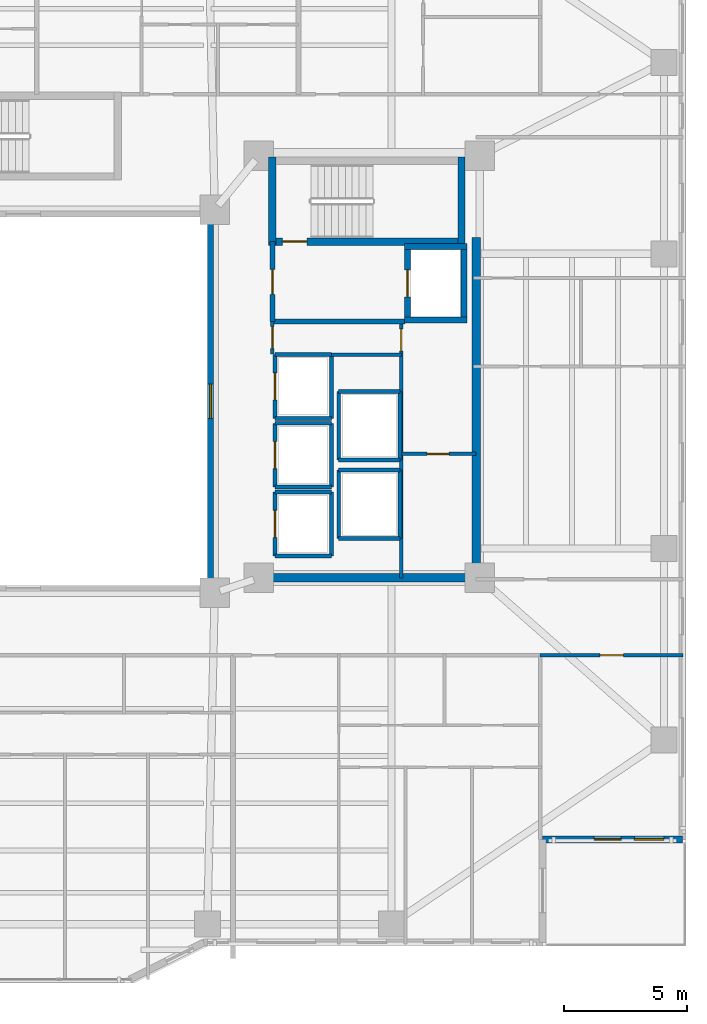
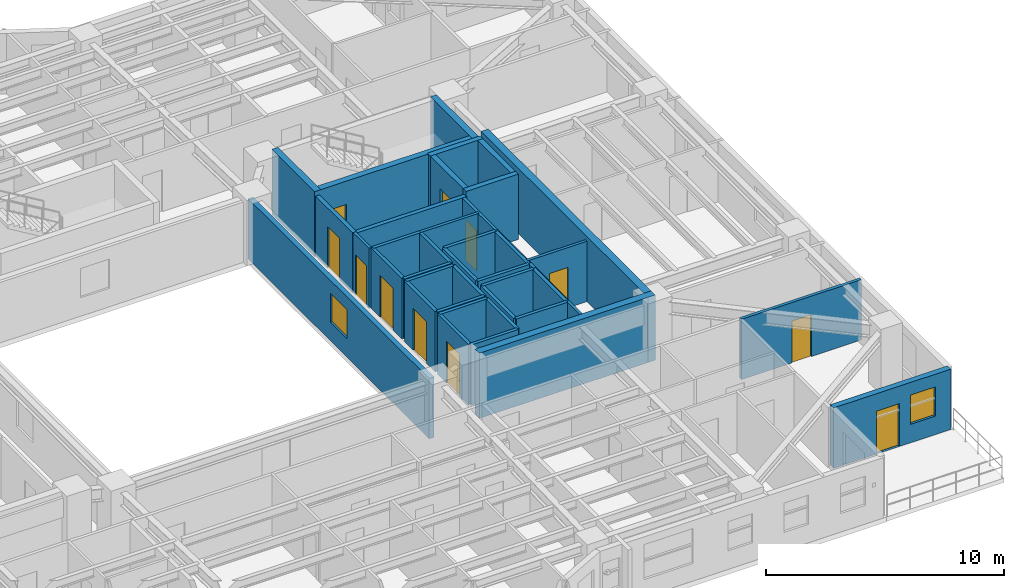
# One storey, part 9 of 19: 38 walls, 11 doors, 2 windows, 13 openings.
"""IFC4 building model written with IfcOpenShell, lengths in metres."""

from ifc_helpers import new_model, si_unit, direction, frame, frame_2d, origin, place, context, subcontext, project, spatial, rectangle, extrude, material, layer, layer_set, type_object, element, fill, save


model = new_model("IFC4")

# Units and contexts
model_context = context("Model", 3, precision=1e-05, world=origin(), true_north=direction((0.0, 1.0)))
body_context = subcontext(model_context, "Body", "Model", "MODEL_VIEW")
ifc_project = project(units=[si_unit("LENGTHUNIT", "METRE"), si_unit("AREAUNIT", "SQUARE_METRE"), si_unit("VOLUMEUNIT", "CUBIC_METRE"), si_unit("PLANEANGLEUNIT", "RADIAN"), si_unit("MASSUNIT", "GRAM", prefix="KILO")], contexts=[model_context])

# Site, building, storey
site_placement = place(None, origin())
site = spatial("IfcSite", under=ifc_project, at=site_placement, CompositionType="ELEMENT")
building_placement = place(site_placement, origin())
building = spatial("IfcBuilding", under=site, at=building_placement, Name="Tarnavaz Court Tower", CompositionType="ELEMENT")
storey_placement = place(building_placement, frame((0.0, 0.0, 78.300048828125)))
storey = spatial("IfcBuildingStorey", under=building, at=storey_placement, Name="L20", CompositionType="ELEMENT", Elevation=78.300048828125)

# Wall, opening, door
ifc_material_1 = material(Name="Concrete C60/75", Category="concrete")
ifc_layer_1 = layer(ifc_material_1, 0.25)
ifc_layer_set_1 = layer_set([ifc_layer_1], Name="Concrete C60/75")
wall_type_1 = type_object("IfcWallType", Name="WL-CORE-250-C60", PredefinedType="SHEAR", material=ifc_layer_set_1)
wall_1_placement = place(storey_placement, frame((15.64990234375, 3.175048828125, 0.0), z_axis=(0.0, 0.0, 1.0), x_axis=(0.0, 1.0, 0.0)))
wall_1 = element("IfcWall", 1, at=wall_1_placement, inside=storey, type_object=wall_type_1, Name="L20 Lift FL-E1 Shaft Wall 033", PredefinedType="SHEAR", context=body_context, shape_type="SweptSolid", body=[
    extrude(rectangle(XDim=3.25, YDim=0.25, at=frame_2d((1.625, 0.0))), origin(), (0.0, 0.0, 1.0), 3.349853515625),
])
opening_1_placement = place(wall_1_placement, frame((1.074951171875, 0.0, 0.0)))
opening_1 = element("IfcOpeningElement", 2, at=opening_1_placement, cuts=wall_1, Name="Opening LD1", PredefinedType="OPENING", context=body_context, shape_type="SweptSolid", body=[
    extrude(rectangle(XDim=1.10009765625, YDim=2.14990234375, at=frame_2d((0.550048828125, 1.074951171875))), frame((0.0, 0.135009765625, 0.0), z_axis=(0.0, -1.0, 0.0), x_axis=(1.0, 0.0, 0.0)), (0.0, 0.0, 1.0), 0.27001953125),
])
ifc_material_2 = material(Name="Stainless Steel", Category="steel")
door_type_1 = type_object("IfcDoorType", Name="DR-LD-1100", OperationType="NOTDEFINED", PredefinedType="DOOR", material=ifc_material_2)
door_1_placement = place(opening_1_placement, origin())
door_1 = element("IfcDoor", 3, at=door_1_placement, inside=storey, type_object=door_type_1, Name="L20 Lift Landing Door LD-FL-E1", OperationType="SLIDING_TO_LEFT", OverallHeight=2.14990234375, OverallWidth=1.10009765625, PredefinedType="DOOR", context=body_context, shape_type="SweptSolid", body=[
    extrude(rectangle(XDim=1.10009765625, YDim=2.14990234375, at=frame_2d((0.550048828125, 1.074951171875))), frame((0.0, 0.02490234375, 0.0), z_axis=(0.0, -1.0, 0.0), x_axis=(1.0, 0.0, 0.0)), (0.0, 0.0, 1.0), 0.050048828125),
])
fill(opening_1, door_1)

# Walls
wall_2_placement = place(storey_placement, frame((17.949951171875, 3.175048828125, 0.0), z_axis=(0.0, 0.0, 1.0), x_axis=(0.0, 1.0, 0.0)))
element("IfcWall", 4, at=wall_2_placement, inside=storey, type_object=wall_type_1, Name="L20 Lift FL-E1 Shaft Wall 034", PredefinedType="SHEAR", context=body_context, shape_type="SweptSolid", body=[
    extrude(rectangle(XDim=3.25, YDim=0.25, at=frame_2d((1.625, 0.0))), origin(), (0.0, 0.0, 1.0), 3.349853515625),
])
for number, where, z_axis, x_axis, name in (
    (5, (15.52490234375, 3.300048828125, 0.0), (0.0, 0.0, 1.0), (1.0, 0.0, 0.0), "L20 Lift FL-E1 Shaft Wall 035"),
    (6, (15.52490234375, 6.300048828125, 0.0), (0.0, 0.0, 1.0), (1.0, 0.0, 0.0), "L20 Lift FL-E1 Shaft Wall 036"),
):
    element("IfcWall", number, at=place(storey_placement, frame(where, z_axis=z_axis, x_axis=x_axis)), inside=storey, type_object=wall_type_1, Name=name, PredefinedType="SHEAR", context=body_context, shape_type="SweptSolid", body=[
        extrude(rectangle(XDim=2.550048828125, YDim=0.25, at=frame_2d((1.27490234375, 0.0))), origin(), (0.0, 0.0, 1.0), 3.349853515625),
    ])

# Wall, opening, door
ifc_layer_2 = layer(ifc_material_1, 0.300048828125)
ifc_layer_set_2 = layer_set([ifc_layer_2], Name="Concrete C60/75")
wall_type_2 = type_object("IfcWallType", Name="WL-CORE-300-C60", PredefinedType="SHEAR", material=ifc_layer_set_2)
wall_3_placement = place(storey_placement, frame((10.0, 6.5, 0.0), z_axis=(0.0, 0.0, 1.0), x_axis=(1.0, 0.0, 0.0)))
wall_3 = element("IfcWall", 7, at=wall_3_placement, inside=storey, type_object=wall_type_2, Name="L20 East Stair Core Wall 006", PredefinedType="SHEAR", context=body_context, shape_type="SweptSolid", body=[
    extrude(rectangle(XDim=8.0, YDim=0.300048828125, at=frame_2d((4.0, 0.0))), origin(), (0.0, 0.0, 1.0), 3.349853515625),
])
opening_2_placement = place(wall_3_placement, frame((0.550048828125, 0.0, 0.0)))
opening_2 = element("IfcOpeningElement", 8, at=opening_2_placement, cuts=wall_3, Name="Opening D01", PredefinedType="OPENING", context=body_context, shape_type="SweptSolid", body=[
    extrude(rectangle(XDim=1.0, YDim=2.14990234375, at=frame_2d((0.5, 1.074951171875))), frame((0.0, 0.159912109375, 0.0), z_axis=(0.0, -1.0, 0.0), x_axis=(1.0, 0.0, 0.0)), (0.0, 0.0, 1.0), 0.320068359375),
])
ifc_material_3 = material(Name="Fire-Rated Hardwood Timber Core", Category="wood")
door_type_2 = type_object("IfcDoorType", Name="DR-FD90-1000", OperationType="NOTDEFINED", PredefinedType="DOOR", material=ifc_material_3)
door_2_placement = place(opening_2_placement, origin())
door_2 = element("IfcDoor", 9, at=door_2_placement, inside=storey, type_object=door_type_2, Name="L20 Stair ST-E1 Exit Door", OperationType="SINGLE_SWING_RIGHT", OverallHeight=2.14990234375, OverallWidth=1.0, PredefinedType="DOOR", context=body_context, shape_type="SweptSolid", body=[
    extrude(rectangle(XDim=1.0, YDim=2.14990234375, at=frame_2d((0.5, 1.074951171875))), frame((0.0, 0.02490234375, 0.0), z_axis=(0.0, -1.0, 0.0), x_axis=(1.0, 0.0, 0.0)), (0.0, 0.0, 1.0), 0.050048828125),
])
fill(opening_2, door_2)

# Walls
for number, where, z_axis, x_axis, name in (
    (10, (10.14990234375, 6.35009765625, 0.0), (0.0, 0.0, 1.0), (0.0, 1.0, 0.0), "L20 East Stair Core Wall 007"),
    (11, (17.85009765625, 6.35009765625, 0.0), (0.0, 0.0, 1.0), (0.0, 1.0, 0.0), "L20 East Stair Core Wall 008"),
):
    element("IfcWall", number, at=place(storey_placement, frame(where, z_axis=z_axis, x_axis=x_axis)), inside=storey, type_object=wall_type_2, Name=name, PredefinedType="SHEAR", context=body_context, shape_type="SweptSolid", body=[
        extrude(rectangle(XDim=3.58984375, YDim=0.300048828125, at=frame_2d((1.794921875, 0.0))), origin(), (0.0, 0.0, 1.0), 3.349853515625),
    ])
ifc_layer_3 = layer(ifc_material_1, 0.35009765625)
ifc_layer_set_3 = layer_set([ifc_layer_3], Name="Concrete C60/75")
wall_type_3 = type_object("IfcWallType", Name="WL-CORE-350-C60", PredefinedType="SHEAR", material=ifc_layer_set_3)
wall_4_placement = place(storey_placement, frame((18.449951171875, -7.375, 0.0), z_axis=(0.0, 0.0, 1.0), x_axis=(0.0, 1.0, 0.0)))
element("IfcWall", 12, at=wall_4_placement, inside=storey, type_object=wall_type_3, Name="L20 East Core Shear Wall 059", PredefinedType="SHEAR", context=body_context, shape_type="SweptSolid", body=[
    extrude(rectangle(XDim=14.050048828125, YDim=0.35009765625, at=frame_2d((7.02490234375, 0.0))), origin(), (0.0, 0.0, 1.0), 3.349853515625),
])
wall_5_placement = place(storey_placement, frame((10.074951171875, -7.199951171875, 0.0), z_axis=(0.0, 0.0, 1.0), x_axis=(1.0, 0.0, 0.0)))
element("IfcWall", 13, at=wall_5_placement, inside=storey, type_object=wall_type_3, Name="L20 East Core South Shear Wall 060", PredefinedType="SHEAR", context=body_context, shape_type="SweptSolid", body=[
    extrude(rectangle(XDim=8.550048828125, YDim=0.35009765625, at=frame_2d((4.27490234375, 0.0))), origin(), (0.0, 0.0, 1.0), 3.349853515625),
])

# Wall, openings, door, window
ifc_material_4 = material(Name="Precast Concrete C40/50", Category="concrete")
ifc_layer_4 = layer(ifc_material_4, 0.280029296875)
ifc_layer_set_4 = layer_set([ifc_layer_4], Name="Precast Concrete C40/50")
wall_type_4 = type_object("IfcWallType", Name="WL-EXT-280", PredefinedType="SOLIDWALL", material=ifc_layer_set_4)
wall_6_placement = place(storey_placement, frame((26.85009765625, -17.85009765625, 0.0), z_axis=(0.0, 0.0, 1.0), x_axis=(-1.0, 0.0, 0.0)))
wall_6 = element("IfcWall", 14, at=wall_6_placement, inside=storey, type_object=wall_type_4, Name="L20 Exterior Terracotta Facade Wall 13", PredefinedType="SOLIDWALL", context=body_context, shape_type="SweptSolid", body=[
    extrude(rectangle(XDim=5.7001953125, YDim=0.280029296875, at=frame_2d((2.85009765625, 0.0))), origin(), (0.0, 0.0, 1.0), 3.099853515625),
])
opening_3_placement = place(wall_6_placement, frame((2.5, 0.0, 0.0)))
opening_3 = element("IfcOpeningElement", 15, at=opening_3_placement, cuts=wall_6, Name="Opening TD1", PredefinedType="OPENING", context=body_context, shape_type="SweptSolid", body=[
    extrude(rectangle(XDim=1.10009765625, YDim=2.199951171875, at=frame_2d((0.550048828125, 1.10009765625))), frame((0.0, 0.14990234375, 0.0), z_axis=(0.0, -1.0, 0.0), x_axis=(1.0, 0.0, 0.0)), (0.0, 0.0, 1.0), 0.300048828125),
])
opening_4_placement = place(wall_6_placement, frame((0.7548828125, 0.0, 0.949951171875)))
opening_4 = element("IfcOpeningElement", 16, at=opening_4_placement, cuts=wall_6, Name="Opening W05", PredefinedType="OPENING", context=body_context, shape_type="SweptSolid", body=[
    extrude(rectangle(XDim=1.199951171875, YDim=1.5, at=frame_2d((0.60009765625, 0.75))), frame((0.0, 0.14990234375, 0.0), z_axis=(0.0, -1.0, 0.0), x_axis=(1.0, 0.0, 0.0)), (0.0, 0.0, 1.0), 0.300048828125),
])
ifc_material_5 = material(Name="Thermally Broken Aluminium and Laminated Glass", Category="aluminium")
door_type_3 = type_object("IfcDoorType", Name="DR-TERR-1100", OperationType="NOTDEFINED", PredefinedType="DOOR", material=ifc_material_5)
door_3_placement = place(opening_3_placement, origin())
door_3 = element("IfcDoor", 17, at=door_3_placement, inside=storey, type_object=door_type_3, Name="L20 Sky Terrace Access Door 3", OperationType="SINGLE_SWING_LEFT", OverallHeight=2.199951171875, OverallWidth=1.10009765625, PredefinedType="DOOR", context=body_context, shape_type="SweptSolid", body=[
    extrude(rectangle(XDim=1.10009765625, YDim=2.199951171875, at=frame_2d((0.550048828125, 1.10009765625))), frame((0.0, 0.02490234375, 0.0), z_axis=(0.0, -1.0, 0.0), x_axis=(1.0, 0.0, 0.0)), (0.0, 0.0, 1.0), 0.050048828125),
])
fill(opening_3, door_3)
ifc_material_6 = material(Name="Double-Glazed Solar Low-E Glass", Category="glass")
window_type_1 = type_object("IfcWindowType", Name="WN-APT-1200", PartitioningType="SINGLE_PANEL", PredefinedType="WINDOW", material=ifc_material_6)
window_1_placement = place(opening_4_placement, origin())
window_1 = element("IfcWindow", 18, at=window_1_placement, inside=storey, type_object=window_type_1, Name="L20 South-East Corner Reading Room Window", OverallHeight=1.5, OverallWidth=1.199951171875, PartitioningType="SINGLE_PANEL", PredefinedType="WINDOW", context=body_context, shape_type="SweptSolid", body=[
    extrude(rectangle(XDim=1.199951171875, YDim=1.5, at=frame_2d((0.60009765625, 0.75))), frame((0.0, 0.030029296875, 0.0), z_axis=(0.0, -1.0, 0.0), x_axis=(1.0, 0.0, 0.0)), (0.0, 0.0, 1.0), 0.06005859375),
])
fill(opening_4, window_1)

# Wall, opening, door
ifc_material_7 = material(Name="Gypsum Fire-Board on Acoustic Metal Stud", Category="masonry")
ifc_layer_5 = layer(ifc_material_7, 0.14990234375)
ifc_layer_set_5 = layer_set([ifc_layer_5], Name="Gypsum Fire-Board on Acoustic Metal Stud")
wall_type_5 = type_object("IfcWallType", Name="WL-FIRE-150", PredefinedType="PARTITIONING", material=ifc_layer_set_5)
wall_7_placement = place(storey_placement, frame((21.050048828125, -10.35009765625, 0.0), z_axis=(0.0, 0.0, 1.0), x_axis=(1.0, 0.0, 0.0)))
wall_7 = element("IfcWall", 19, at=wall_7_placement, inside=storey, type_object=wall_type_5, Name="L20 Interior Partition 133", PredefinedType="PARTITIONING", context=body_context, shape_type="SweptSolid", body=[
    extrude(rectangle(XDim=5.829833984375, YDim=0.14990234375, at=frame_2d((2.9150390625, 0.0))), origin(), (0.0, 0.0, 1.0), 3.099853515625),
])
opening_5_placement = place(wall_7_placement, frame((2.43994140625, 0.0, 0.0)))
opening_5 = element("IfcOpeningElement", 20, at=opening_5_placement, cuts=wall_7, Name="Opening D13", PredefinedType="OPENING", context=body_context, shape_type="SweptSolid", body=[
    extrude(rectangle(XDim=0.949951171875, YDim=2.14990234375, at=frame_2d((0.47509765625, 1.074951171875))), frame((0.0, 0.0849609375, 0.0), z_axis=(0.0, -1.0, 0.0), x_axis=(1.0, 0.0, 0.0)), (0.0, 0.0, 1.0), 0.169921875),
])
ifc_material_8 = material(Name="Engineered Oak Timber", Category="wood")
door_type_4 = type_object("IfcDoorType", Name="DR-INT-950", OperationType="NOTDEFINED", PredefinedType="DOOR", material=ifc_material_8)
door_4_placement = place(opening_5_placement, origin())
door_4 = element("IfcDoor", 21, at=door_4_placement, inside=storey, type_object=door_type_4, Name="L20 SE Reading Room Door", OperationType="SINGLE_SWING_RIGHT", OverallHeight=2.14990234375, OverallWidth=0.949951171875, PredefinedType="DOOR", context=body_context, shape_type="SweptSolid", body=[
    extrude(rectangle(XDim=0.949951171875, YDim=2.14990234375, at=frame_2d((0.47509765625, 1.074951171875))), frame((0.0, 0.02490234375, 0.0), z_axis=(0.0, -1.0, 0.0), x_axis=(1.0, 0.0, 0.0)), (0.0, 0.0, 1.0), 0.050048828125),
])
fill(opening_5, door_4)

# Wall
ifc_material_9 = material(Name="Autoclaved Aerated Concrete Blockwork", Category="masonry")
ifc_layer_6 = layer(ifc_material_9, 0.199951171875)
ifc_layer_set_6 = layer_set([ifc_layer_6], Name="Autoclaved Aerated Concrete Blockwork")
wall_type_6 = type_object("IfcWallType", Name="WL-FIRE-200", PredefinedType="SOLIDWALL", material=ifc_layer_set_6)
wall_8_placement = place(storey_placement, frame((10.14990234375, 3.25, 0.0), z_axis=(0.0, 0.0, 1.0), x_axis=(1.0, 0.0, 0.0)))
element("IfcWall", 22, at=wall_8_placement, inside=storey, type_object=wall_type_6, Name="L20 East Firefighting Lobby Wall 015", PredefinedType="SOLIDWALL", context=body_context, shape_type="SweptSolid", body=[
    extrude(rectangle(XDim=5.400146484375, YDim=0.199951171875, at=frame_2d((2.7001953125, 0.0))), origin(), (0.0, 0.0, 1.0), 3.099853515625),
])

# Wall, opening, door
wall_9_placement = place(storey_placement, frame((10.14990234375, 3.25, 0.0), z_axis=(0.0, 0.0, 1.0), x_axis=(0.0, 1.0, 0.0)))
wall_9 = element("IfcWall", 23, at=wall_9_placement, inside=storey, type_object=wall_type_6, Name="L20 East Firefighting Lobby Wall 016", PredefinedType="SOLIDWALL", context=body_context, shape_type="SweptSolid", body=[
    extrude(rectangle(XDim=3.25, YDim=0.199951171875, at=frame_2d((1.625, 0.0))), origin(), (0.0, 0.0, 1.0), 3.099853515625),
])
opening_6_placement = place(wall_9_placement, frame((1.10009765625, 0.0, 0.0)))
opening_6 = element("IfcOpeningElement", 24, at=opening_6_placement, cuts=wall_9, Name="Opening D05", PredefinedType="OPENING", context=body_context, shape_type="SweptSolid", body=[
    extrude(rectangle(XDim=1.02001953125, YDim=2.14990234375, at=frame_2d((0.510009765625, 1.074951171875))), frame((0.0, 0.10986328125, 0.0), z_axis=(0.0, -1.0, 0.0), x_axis=(1.0, 0.0, 0.0)), (0.0, 0.0, 1.0), 0.219970703125),
])
door_type_5 = type_object("IfcDoorType", Name="DR-FD60-1000", OperationType="NOTDEFINED", PredefinedType="DOOR", material=ifc_material_3)
door_5_placement = place(opening_6_placement, origin())
door_5 = element("IfcDoor", 25, at=door_5_placement, inside=storey, type_object=door_type_5, Name="L20 East Firefighting Lobby Door", OperationType="SINGLE_SWING_LEFT", OverallHeight=2.14990234375, OverallWidth=1.02001953125, PredefinedType="DOOR", context=body_context, shape_type="SweptSolid", body=[
    extrude(rectangle(XDim=1.02001953125, YDim=2.14990234375, at=frame_2d((0.510009765625, 1.074951171875))), frame((0.0, 0.02490234375, 0.0), z_axis=(0.0, -1.0, 0.0), x_axis=(1.0, 0.0, 0.0)), (0.0, 0.0, 1.0), 0.050048828125),
])
fill(opening_6, door_5)

# Wall
ifc_material_10 = material(Name="Gypsum Plasterboard Acoustic Partition", Category="masonry")
ifc_layer_7 = layer(ifc_material_10, 0.139892578125)
ifc_layer_set_7 = layer_set([ifc_layer_7], Name="Gypsum Plasterboard Acoustic Partition")
wall_type_7 = type_object("IfcWallType", Name="WL-PART-150", PredefinedType="PARTITIONING", material=ifc_layer_set_7)
wall_10_placement = place(storey_placement, frame((12.550048828125, 1.89990234375, 0.0), z_axis=(0.0, 0.0, 1.0), x_axis=(1.0, 0.0, 0.0)))
element("IfcWall", 26, at=wall_10_placement, inside=storey, type_object=wall_type_7, Name="L20 Interior Partition 067", PredefinedType="PARTITIONING", context=body_context, shape_type="SweptSolid", body=[
    extrude(rectangle(XDim=2.849853515625, YDim=0.139892578125, at=frame_2d((1.4248046875, 0.0))), origin(), (0.0, 0.0, 1.0), 3.099853515625),
])

# Wall, opening, door
wall_11_placement = place(storey_placement, frame((10.14990234375, 1.919921875, 0.0), z_axis=(0.0, 0.0, 1.0), x_axis=(0.0, 1.0, 0.0)))
wall_11 = element("IfcWall", 27, at=wall_11_placement, inside=storey, type_object=wall_type_7, Name="L20 Interior Partition 068", PredefinedType="PARTITIONING", context=body_context, shape_type="SweptSolid", body=[
    extrude(rectangle(XDim=1.330078125, YDim=0.139892578125, at=frame_2d((0.6650390625, 0.0))), origin(), (0.0, 0.0, 1.0), 3.099853515625),
])
opening_7_placement = place(wall_11_placement, frame((0.219970703125, 0.0, 0.0)))
opening_7 = element("IfcOpeningElement", 28, at=opening_7_placement, cuts=wall_11, Name="Opening D09", PredefinedType="OPENING", context=body_context, shape_type="SweptSolid", body=[
    extrude(rectangle(XDim=0.89990234375, YDim=2.080078125, at=frame_2d((0.449951171875, 1.0400390625))), frame((0.0, 0.079833984375, 0.0), z_axis=(0.0, -1.0, 0.0), x_axis=(1.0, 0.0, 0.0)), (0.0, 0.0, 1.0), 0.159912109375),
])
door_type_6 = type_object("IfcDoorType", Name="DR-FD30-900", OperationType="NOTDEFINED", PredefinedType="DOOR", material=ifc_material_3)
door_6_placement = place(opening_7_placement, origin())
door_6 = element("IfcDoor", 29, at=door_6_placement, inside=storey, type_object=door_type_6, Name="L20 East Core Service Lobby Door", OperationType="SINGLE_SWING_RIGHT", OverallHeight=2.080078125, OverallWidth=0.89990234375, PredefinedType="DOOR", context=body_context, shape_type="SweptSolid", body=[
    extrude(rectangle(XDim=0.89990234375, YDim=2.080078125, at=frame_2d((0.449951171875, 1.0400390625))), frame((0.0, 0.02490234375, 0.0), z_axis=(0.0, -1.0, 0.0), x_axis=(1.0, 0.0, 0.0)), (0.0, 0.0, 1.0), 0.050048828125),
])
fill(opening_7, door_6)

wall_12_placement = place(storey_placement, frame((15.39990234375, -7.199951171875, 0.0), z_axis=(0.0, 0.0, 1.0), x_axis=(0.0, 1.0, 0.0)))
wall_12 = element("IfcWall", 30, at=wall_12_placement, inside=storey, type_object=wall_type_7, Name="L20 Interior Partition 069", PredefinedType="PARTITIONING", context=body_context, shape_type="SweptSolid", body=[
    extrude(rectangle(XDim=10.449951171875, YDim=0.139892578125, at=frame_2d((5.22509765625, 0.0))), origin(), (0.0, 0.0, 1.0), 3.099853515625),
])
opening_8_placement = place(wall_12_placement, frame((9.25, 0.0, 0.0)))
opening_8 = element("IfcOpeningElement", 31, at=opening_8_placement, cuts=wall_12, Name="Opening D09", PredefinedType="OPENING", context=body_context, shape_type="SweptSolid", body=[
    extrude(rectangle(XDim=0.89990234375, YDim=2.080078125, at=frame_2d((0.449951171875, 1.0400390625))), frame((0.0, 0.079833984375, 0.0), z_axis=(0.0, -1.0, 0.0), x_axis=(1.0, 0.0, 0.0)), (0.0, 0.0, 1.0), 0.159912109375),
])
door_7_placement = place(opening_8_placement, origin())
door_7 = element("IfcDoor", 32, at=door_7_placement, inside=storey, type_object=door_type_6, Name="L20 East Wet Riser Door", OperationType="SINGLE_SWING_LEFT", OverallHeight=2.080078125, OverallWidth=0.89990234375, PredefinedType="DOOR", context=body_context, shape_type="SweptSolid", body=[
    extrude(rectangle(XDim=0.89990234375, YDim=2.080078125, at=frame_2d((0.449951171875, 1.0400390625))), frame((0.0, 0.02490234375, 0.0), z_axis=(0.0, -1.0, 0.0), x_axis=(1.0, 0.0, 0.0)), (0.0, 0.0, 1.0), 0.050048828125),
])
fill(opening_8, door_7)

wall_13_placement = place(storey_placement, frame((15.39990234375, -2.14990234375, 0.0), z_axis=(0.0, 0.0, 1.0), x_axis=(1.0, 0.0, 0.0)))
wall_13 = element("IfcWall", 33, at=wall_13_placement, inside=storey, type_object=wall_type_7, Name="L20 Interior Partition 070", PredefinedType="PARTITIONING", context=body_context, shape_type="SweptSolid", body=[
    extrude(rectangle(XDim=3.050048828125, YDim=0.139892578125, at=frame_2d((1.52490234375, 0.0))), origin(), (0.0, 0.0, 1.0), 3.099853515625),
])
opening_9_placement = place(wall_13_placement, frame((1.050048828125, 0.0, 0.0)))
opening_9 = element("IfcOpeningElement", 34, at=opening_9_placement, cuts=wall_13, Name="Opening D09", PredefinedType="OPENING", context=body_context, shape_type="SweptSolid", body=[
    extrude(rectangle(XDim=0.89990234375, YDim=2.080078125, at=frame_2d((0.449951171875, 1.0400390625))), frame((0.0, 0.079833984375, 0.0), z_axis=(0.0, -1.0, 0.0), x_axis=(1.0, 0.0, 0.0)), (0.0, 0.0, 1.0), 0.159912109375),
])
door_8_placement = place(opening_9_placement, origin())
door_8 = element("IfcDoor", 35, at=door_8_placement, inside=storey, type_object=door_type_6, Name="L20 East Electrical Plant Door", OperationType="SINGLE_SWING_RIGHT", OverallHeight=2.080078125, OverallWidth=0.89990234375, PredefinedType="DOOR", context=body_context, shape_type="SweptSolid", body=[
    extrude(rectangle(XDim=0.89990234375, YDim=2.080078125, at=frame_2d((0.449951171875, 1.0400390625))), frame((0.0, 0.02490234375, 0.0), z_axis=(0.0, -1.0, 0.0), x_axis=(1.0, 0.0, 0.0)), (0.0, 0.0, 1.0), 0.050048828125),
])
fill(opening_9, door_8)

ifc_layer_8 = layer(ifc_material_9, 0.159912109375)
ifc_layer_set_8 = layer_set([ifc_layer_8], Name="Autoclaved Aerated Concrete Blockwork")
wall_type_8 = type_object("IfcWallType", Name="WL-SHAFT-150", PredefinedType="SOLIDWALL", material=ifc_layer_set_8)
wall_14_placement = place(storey_placement, frame((10.25, -6.300048828125, 0.0), z_axis=(0.0, 0.0, 1.0), x_axis=(0.0, 1.0, 0.0)))
wall_14 = element("IfcWall", 36, at=wall_14_placement, inside=storey, type_object=wall_type_8, Name="L20 Lift PL-M1 Shaft Wall 037", PredefinedType="SOLIDWALL", context=body_context, shape_type="SweptSolid", body=[
    extrude(rectangle(XDim=2.60009765625, YDim=0.159912109375, at=frame_2d((1.300048828125, 0.0))), origin(), (0.0, 0.0, 1.0), 3.099853515625),
])
opening_10_placement = place(wall_14_placement, frame((0.75, 0.0, 0.0)))
opening_10 = element("IfcOpeningElement", 37, at=opening_10_placement, cuts=wall_14, Name="Opening LD1", PredefinedType="OPENING", context=body_context, shape_type="SweptSolid", body=[
    extrude(rectangle(XDim=1.10009765625, YDim=2.14990234375, at=frame_2d((0.550048828125, 1.074951171875))), frame((0.0, 0.08984375, 0.0), z_axis=(0.0, -1.0, 0.0), x_axis=(1.0, 0.0, 0.0)), (0.0, 0.0, 1.0), 0.179931640625),
])
door_9_placement = place(opening_10_placement, origin())
door_9 = element("IfcDoor", 38, at=door_9_placement, inside=storey, type_object=door_type_1, Name="L20 Lift Landing Door LD-PL-M1", OperationType="SLIDING_TO_LEFT", OverallHeight=2.14990234375, OverallWidth=1.10009765625, PredefinedType="DOOR", context=body_context, shape_type="SweptSolid", body=[
    extrude(rectangle(XDim=1.10009765625, YDim=2.14990234375, at=frame_2d((0.550048828125, 1.074951171875))), frame((0.0, 0.02490234375, 0.0), z_axis=(0.0, -1.0, 0.0), x_axis=(1.0, 0.0, 0.0)), (0.0, 0.0, 1.0), 0.050048828125),
])
fill(opening_10, door_9)

# Walls
wall_15_placement = place(storey_placement, frame((12.550048828125, -6.300048828125, 0.0), z_axis=(0.0, 0.0, 1.0), x_axis=(0.0, 1.0, 0.0)))
element("IfcWall", 39, at=wall_15_placement, inside=storey, type_object=wall_type_8, Name="L20 Lift PL-M1 Shaft Wall 038", PredefinedType="SOLIDWALL", context=body_context, shape_type="SweptSolid", body=[
    extrude(rectangle(XDim=2.60009765625, YDim=0.159912109375, at=frame_2d((1.300048828125, 0.0))), origin(), (0.0, 0.0, 1.0), 3.099853515625),
])
for number, where, z_axis, x_axis, name in (
    (40, (10.25, -6.300048828125, 0.0), (0.0, 0.0, 1.0), (1.0, 0.0, 0.0), "L20 Lift PL-M1 Shaft Wall 039"),
    (41, (10.25, -3.699951171875, 0.0), (0.0, 0.0, 1.0), (1.0, 0.0, 0.0), "L20 Lift PL-M1 Shaft Wall 040"),
):
    element("IfcWall", number, at=place(storey_placement, frame(where, z_axis=z_axis, x_axis=x_axis)), inside=storey, type_object=wall_type_8, Name=name, PredefinedType="SOLIDWALL", context=body_context, shape_type="SweptSolid", body=[
        extrude(rectangle(XDim=2.300048828125, YDim=0.159912109375, at=frame_2d((1.14990234375, 0.0))), origin(), (0.0, 0.0, 1.0), 3.099853515625),
    ])

# Wall, opening, door
wall_16_placement = place(storey_placement, frame((10.25, -3.5, 0.0), z_axis=(0.0, 0.0, 1.0), x_axis=(0.0, 1.0, 0.0)))
wall_16 = element("IfcWall", 42, at=wall_16_placement, inside=storey, type_object=wall_type_8, Name="L20 Lift PL-M2 Shaft Wall 041", PredefinedType="SOLIDWALL", context=body_context, shape_type="SweptSolid", body=[
    extrude(rectangle(XDim=2.60009765625, YDim=0.159912109375, at=frame_2d((1.300048828125, 0.0))), origin(), (0.0, 0.0, 1.0), 3.099853515625),
])
opening_11_placement = place(wall_16_placement, frame((0.75, 0.0, 0.0)))
opening_11 = element("IfcOpeningElement", 43, at=opening_11_placement, cuts=wall_16, Name="Opening LD1", PredefinedType="OPENING", context=body_context, shape_type="SweptSolid", body=[
    extrude(rectangle(XDim=1.10009765625, YDim=2.14990234375, at=frame_2d((0.550048828125, 1.074951171875))), frame((0.0, 0.08984375, 0.0), z_axis=(0.0, -1.0, 0.0), x_axis=(1.0, 0.0, 0.0)), (0.0, 0.0, 1.0), 0.179931640625),
])
door_10_placement = place(opening_11_placement, origin())
door_10 = element("IfcDoor", 44, at=door_10_placement, inside=storey, type_object=door_type_1, Name="L20 Lift Landing Door LD-PL-M2", OperationType="SLIDING_TO_LEFT", OverallHeight=2.14990234375, OverallWidth=1.10009765625, PredefinedType="DOOR", context=body_context, shape_type="SweptSolid", body=[
    extrude(rectangle(XDim=1.10009765625, YDim=2.14990234375, at=frame_2d((0.550048828125, 1.074951171875))), frame((0.0, 0.02490234375, 0.0), z_axis=(0.0, -1.0, 0.0), x_axis=(1.0, 0.0, 0.0)), (0.0, 0.0, 1.0), 0.050048828125),
])
fill(opening_11, door_10)

# Walls
wall_17_placement = place(storey_placement, frame((12.550048828125, -3.5, 0.0), z_axis=(0.0, 0.0, 1.0), x_axis=(0.0, 1.0, 0.0)))
element("IfcWall", 45, at=wall_17_placement, inside=storey, type_object=wall_type_8, Name="L20 Lift PL-M2 Shaft Wall 042", PredefinedType="SOLIDWALL", context=body_context, shape_type="SweptSolid", body=[
    extrude(rectangle(XDim=2.60009765625, YDim=0.159912109375, at=frame_2d((1.300048828125, 0.0))), origin(), (0.0, 0.0, 1.0), 3.099853515625),
])
for number, where, z_axis, x_axis, name in (
    (46, (10.25, -3.5, 0.0), (0.0, 0.0, 1.0), (1.0, 0.0, 0.0), "L20 Lift PL-M2 Shaft Wall 043"),
    (47, (10.25, -0.89990234375, 0.0), (0.0, 0.0, 1.0), (1.0, 0.0, 0.0), "L20 Lift PL-M2 Shaft Wall 044"),
):
    element("IfcWall", number, at=place(storey_placement, frame(where, z_axis=z_axis, x_axis=x_axis)), inside=storey, type_object=wall_type_8, Name=name, PredefinedType="SOLIDWALL", context=body_context, shape_type="SweptSolid", body=[
        extrude(rectangle(XDim=2.300048828125, YDim=0.159912109375, at=frame_2d((1.14990234375, 0.0))), origin(), (0.0, 0.0, 1.0), 3.099853515625),
    ])

# Wall, opening, door
wall_18_placement = place(storey_placement, frame((10.25, -0.699951171875, 0.0), z_axis=(0.0, 0.0, 1.0), x_axis=(0.0, 1.0, 0.0)))
wall_18 = element("IfcWall", 48, at=wall_18_placement, inside=storey, type_object=wall_type_8, Name="L20 Lift PL-M3 Shaft Wall 045", PredefinedType="SOLIDWALL", context=body_context, shape_type="SweptSolid", body=[
    extrude(rectangle(XDim=2.599853515625, YDim=0.159912109375, at=frame_2d((1.2998046875, 0.0))), origin(), (0.0, 0.0, 1.0), 3.099853515625),
])
opening_12_placement = place(wall_18_placement, frame((0.75, 0.0, 0.0)))
opening_12 = element("IfcOpeningElement", 49, at=opening_12_placement, cuts=wall_18, Name="Opening LD1", PredefinedType="OPENING", context=body_context, shape_type="SweptSolid", body=[
    extrude(rectangle(XDim=1.10009765625, YDim=2.14990234375, at=frame_2d((0.550048828125, 1.074951171875))), frame((0.0, 0.08984375, 0.0), z_axis=(0.0, -1.0, 0.0), x_axis=(1.0, 0.0, 0.0)), (0.0, 0.0, 1.0), 0.179931640625),
])
door_11_placement = place(opening_12_placement, origin())
door_11 = element("IfcDoor", 50, at=door_11_placement, inside=storey, type_object=door_type_1, Name="L20 Lift Landing Door LD-PL-M3", OperationType="SLIDING_TO_LEFT", OverallHeight=2.14990234375, OverallWidth=1.10009765625, PredefinedType="DOOR", context=body_context, shape_type="SweptSolid", body=[
    extrude(rectangle(XDim=1.10009765625, YDim=2.14990234375, at=frame_2d((0.550048828125, 1.074951171875))), frame((0.0, 0.02490234375, 0.0), z_axis=(0.0, -1.0, 0.0), x_axis=(1.0, 0.0, 0.0)), (0.0, 0.0, 1.0), 0.050048828125),
])
fill(opening_12, door_11)

# Walls
wall_19_placement = place(storey_placement, frame((12.550048828125, -0.699951171875, 0.0), z_axis=(0.0, 0.0, 1.0), x_axis=(0.0, 1.0, 0.0)))
element("IfcWall", 51, at=wall_19_placement, inside=storey, type_object=wall_type_8, Name="L20 Lift PL-M3 Shaft Wall 046", PredefinedType="SOLIDWALL", context=body_context, shape_type="SweptSolid", body=[
    extrude(rectangle(XDim=2.599853515625, YDim=0.159912109375, at=frame_2d((1.2998046875, 0.0))), origin(), (0.0, 0.0, 1.0), 3.099853515625),
])
for number, where, z_axis, x_axis, name in (
    (52, (10.25, -0.699951171875, 0.0), (0.0, 0.0, 1.0), (1.0, 0.0, 0.0), "L20 Lift PL-M3 Shaft Wall 047"),
    (53, (10.25, 1.89990234375, 0.0), (0.0, 0.0, 1.0), (1.0, 0.0, 0.0), "L20 Lift PL-M3 Shaft Wall 048"),
):
    element("IfcWall", number, at=place(storey_placement, frame(where, z_axis=z_axis, x_axis=x_axis)), inside=storey, type_object=wall_type_8, Name=name, PredefinedType="SOLIDWALL", context=body_context, shape_type="SweptSolid", body=[
        extrude(rectangle(XDim=2.300048828125, YDim=0.159912109375, at=frame_2d((1.14990234375, 0.0))), origin(), (0.0, 0.0, 1.0), 3.099853515625),
    ])
for number, where, z_axis, x_axis, name in (
    (54, (12.85009765625, -5.60009765625, 0.0), (0.0, 0.0, 1.0), (0.0, 1.0, 0.0), "L20 Lift PL-OB1 Shaft Wall 049"),
    (55, (15.35009765625, -5.60009765625, 0.0), (0.0, 0.0, 1.0), (0.0, 1.0, 0.0), "L20 Lift PL-OB1 Shaft Wall 050"),
):
    element("IfcWall", number, at=place(storey_placement, frame(where, z_axis=z_axis, x_axis=x_axis)), inside=storey, type_object=wall_type_8, Name=name, PredefinedType="SOLIDWALL", context=body_context, shape_type="SweptSolid", body=[
        extrude(rectangle(XDim=2.800048828125, YDim=0.159912109375, at=frame_2d((1.39990234375, 0.0))), origin(), (0.0, 0.0, 1.0), 3.099853515625),
    ])
for number, where, z_axis, x_axis, name in (
    (56, (12.85009765625, -5.60009765625, 0.0), (0.0, 0.0, 1.0), (1.0, 0.0, 0.0), "L20 Lift PL-OB1 Shaft Wall 051"),
    (57, (12.85009765625, -2.800048828125, 0.0), (0.0, 0.0, 1.0), (1.0, 0.0, 0.0), "L20 Lift PL-OB1 Shaft Wall 052"),
):
    element("IfcWall", number, at=place(storey_placement, frame(where, z_axis=z_axis, x_axis=x_axis)), inside=storey, type_object=wall_type_8, Name=name, PredefinedType="SOLIDWALL", context=body_context, shape_type="SweptSolid", body=[
        extrude(rectangle(XDim=2.5, YDim=0.159912109375, at=frame_2d((1.25, 0.0))), origin(), (0.0, 0.0, 1.0), 3.099853515625),
    ])
for number, where, z_axis, x_axis, name in (
    (58, (12.85009765625, -2.39990234375, 0.0), (0.0, 0.0, 1.0), (0.0, 1.0, 0.0), "L20 Lift PL-OB2 Shaft Wall 053"),
    (59, (15.35009765625, -2.39990234375, 0.0), (0.0, 0.0, 1.0), (0.0, 1.0, 0.0), "L20 Lift PL-OB2 Shaft Wall 054"),
):
    element("IfcWall", number, at=place(storey_placement, frame(where, z_axis=z_axis, x_axis=x_axis)), inside=storey, type_object=wall_type_8, Name=name, PredefinedType="SOLIDWALL", context=body_context, shape_type="SweptSolid", body=[
        extrude(rectangle(XDim=2.7998046875, YDim=0.159912109375, at=frame_2d((1.39990234375, 0.0))), origin(), (0.0, 0.0, 1.0), 3.099853515625),
    ])
for number, where, z_axis, x_axis, name in (
    (60, (12.85009765625, -2.39990234375, 0.0), (0.0, 0.0, 1.0), (1.0, 0.0, 0.0), "L20 Lift PL-OB2 Shaft Wall 055"),
    (61, (12.85009765625, 0.39990234375, 0.0), (0.0, 0.0, 1.0), (1.0, 0.0, 0.0), "L20 Lift PL-OB2 Shaft Wall 056"),
):
    element("IfcWall", number, at=place(storey_placement, frame(where, z_axis=z_axis, x_axis=x_axis)), inside=storey, type_object=wall_type_8, Name=name, PredefinedType="SOLIDWALL", context=body_context, shape_type="SweptSolid", body=[
        extrude(rectangle(XDim=2.5, YDim=0.159912109375, at=frame_2d((1.25, 0.0))), origin(), (0.0, 0.0, 1.0), 3.099853515625),
    ])

# Wall, opening, window
ifc_layer_9 = layer(ifc_material_4, 0.239990234375)
ifc_layer_set_9 = layer_set([ifc_layer_9], Name="Precast Concrete C40/50")
wall_type_9 = type_object("IfcWallType", Name="WL-WELL-240", PredefinedType="SOLIDWALL", material=ifc_layer_set_9)
wall_20_placement = place(storey_placement, frame((7.6201171875, -7.6201171875, 0.0), z_axis=(0.0, 0.0, 1.0), x_axis=(0.0, 1.0, 0.0)))
wall_20 = element("IfcWall", 62, at=wall_20_placement, inside=storey, type_object=wall_type_9, Name="L20 Badgir Light-Well Exterior Wall E", PredefinedType="SOLIDWALL", context=body_context, shape_type="SweptSolid", body=[
    extrude(rectangle(XDim=15.240234375, YDim=0.239990234375, at=frame_2d((7.6201171875, 0.0))), origin(), (0.0, 0.0, 1.0), 3.099853515625),
])
opening_13_placement = place(wall_20_placement, frame((6.919921875, 0.0, 0.949951171875)))
opening_13 = element("IfcOpeningElement", 63, at=opening_13_placement, cuts=wall_20, Name="Opening W13", PredefinedType="OPENING", context=body_context, shape_type="SweptSolid", body=[
    extrude(rectangle(XDim=1.39990234375, YDim=1.5, at=frame_2d((0.699951171875, 0.75))), frame((0.0, 0.1298828125, 0.0), z_axis=(0.0, -1.0, 0.0), x_axis=(1.0, 0.0, 0.0)), (0.0, 0.0, 1.0), 0.260009765625),
])
window_type_2 = type_object("IfcWindowType", Name="WN-WEL-1400", PartitioningType="SINGLE_PANEL", PredefinedType="WINDOW", material=ifc_material_6)
window_2_placement = place(opening_13_placement, origin())
window_2 = element("IfcWindow", 64, at=window_2_placement, inside=storey, type_object=window_type_2, Name="L20 Courtyard Gallery Window E", OverallHeight=1.5, OverallWidth=1.39990234375, PartitioningType="SINGLE_PANEL", PredefinedType="WINDOW", context=body_context, shape_type="SweptSolid", body=[
    extrude(rectangle(XDim=1.39990234375, YDim=1.5, at=frame_2d((0.699951171875, 0.75))), frame((0.0, 0.030029296875, 0.0), z_axis=(0.0, -1.0, 0.0), x_axis=(1.0, 0.0, 0.0)), (0.0, 0.0, 1.0), 0.06005859375),
])
fill(opening_13, window_2)

save(model, "model.ifc")
